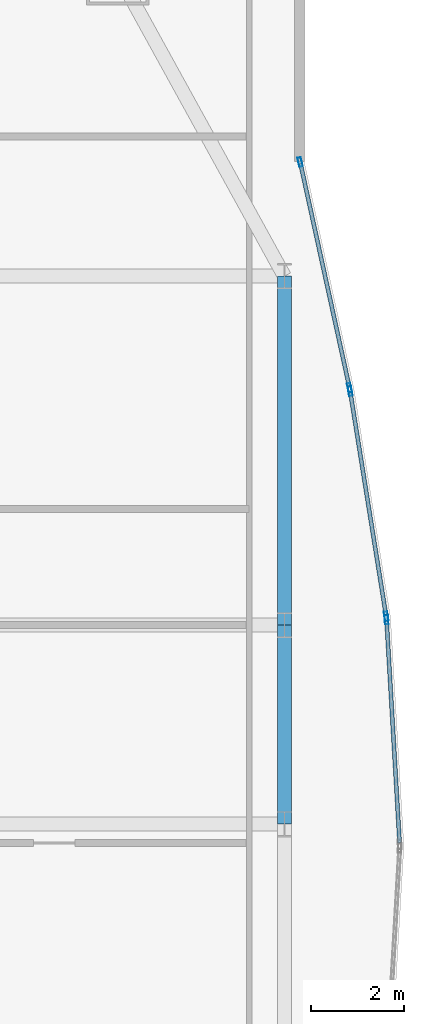
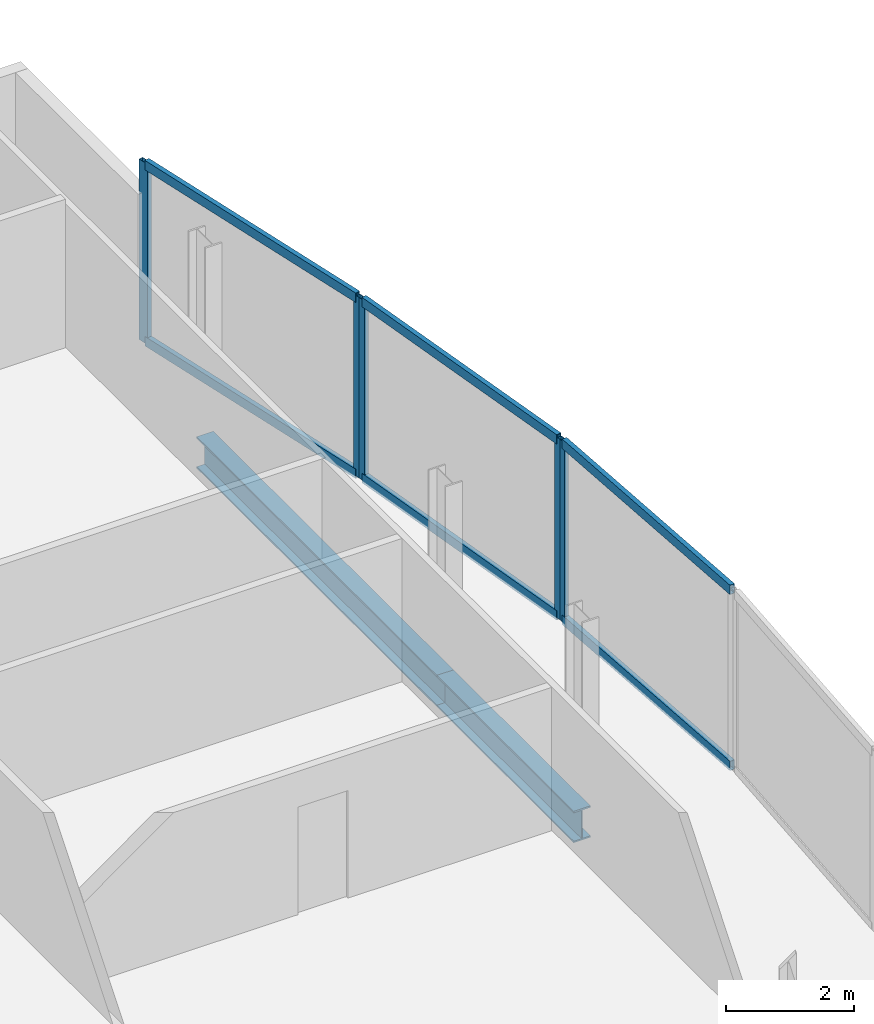
# One storey, part 22 of 29: 11 members, 2 beams, 3 elements without a shape of their own.
"""IFC4 building model written with IfcOpenShell, lengths in metres."""

from ifc_helpers import new_model, si_unit, direction, frame, origin, origin_2d, place, context, subcontext, project, spatial, hollow_rectangle, i_section, extrude, material, material_profile, profile_set, type_object, element, aggregate, save


model = new_model("IFC4")

# Units and contexts
model_context = context("Model", 3, precision=1e-05, world=origin(), true_north=direction((0.0, 1.0)))
body_context = subcontext(model_context, "Body", "Model", "MODEL_VIEW")
ifc_project = project(units=[si_unit("LENGTHUNIT", "METRE"), si_unit("AREAUNIT", "SQUARE_METRE"), si_unit("VOLUMEUNIT", "CUBIC_METRE"), si_unit("PLANEANGLEUNIT", "RADIAN"), si_unit("MASSUNIT", "GRAM", prefix="KILO")], contexts=[model_context])

# Site, building, storey
site_placement = place(None, origin())
site = spatial("IfcSite", under=ifc_project, at=site_placement, CompositionType="ELEMENT")
building_placement = place(site_placement, origin())
building = spatial("IfcBuilding", under=site, at=building_placement, Name="Khoronbel Lancet Exchange", CompositionType="ELEMENT")
storey_placement = place(building_placement, frame((0.0, 0.0, 161.39990234375)))
storey = spatial("IfcBuildingStorey", under=building, at=storey_placement, Name="L40", CompositionType="ELEMENT", Elevation=161.39990234375)

# Beams
ifc_material_1 = material(Name="Steel S355", Category="steel")
ifc_material_profile_1 = material_profile(ifc_material_1, i_section(OverallWidth=0.300048828125, OverallDepth=0.60009765625, WebThickness=0.015380859375, FlangeThickness=0.030029296875, at=origin_2d()), Name="HEB 600")
ifc_profile_set_1 = profile_set([ifc_material_profile_1], Name="Steel S355")
beam_type = type_object("IfcBeamType", Name="BM-BSP2", PredefinedType="SPANDREL", material=ifc_profile_set_1)
beam_1_placement = place(storey_placement, frame((67.6298828125, 31.425048828125, -0.4599609375), z_axis=(0.0, 1.0, 0.0), x_axis=(-1.0, 0.0, 0.0)))
element("IfcBeam", 1, at=beam_1_placement, inside=storey, type_object=beam_type, Name="Level L40 perimeter spandrel beam SP13", PredefinedType="SPANDREL", context=body_context, shape_type="SweptSolid", body=[
    extrude(i_section(OverallWidth=0.300048828125, OverallDepth=0.60009765625, WebThickness=0.015380859375, FlangeThickness=0.030029296875, at=origin_2d()), origin(), (0.0, 0.0, 1.0), 4.27490234375),
])
beam_2_placement = place(storey_placement, frame((67.6298828125, 35.699951171875, -0.4599609375), z_axis=(0.0, 1.0, 0.0), x_axis=(-1.0, 0.0, 0.0)))
element("IfcBeam", 2, at=beam_2_placement, inside=storey, type_object=beam_type, Name="Level L40 perimeter spandrel beam SP14", PredefinedType="SPANDREL", context=body_context, shape_type="SweptSolid", body=[
    extrude(i_section(OverallWidth=0.300048828125, OverallDepth=0.60009765625, WebThickness=0.015380859375, FlangeThickness=0.030029296875, at=origin_2d()), origin(), (0.0, 0.0, 1.0), 7.5),
])

# Curtain wall, members
ifc_material_2 = material(Name="Low-E Solar Control Insulating Glass", Category="glass")
curtain_wall_type = type_object("IfcCurtainWallType", Name="CW-4", PredefinedType="NOTDEFINED", material=ifc_material_2)
curtain_wall_1_placement = place(storey_placement, origin())
curtain_wall_1 = element("IfcCurtainWall", 3, at=curtain_wall_1_placement, inside=storey, type_object=curtain_wall_type, Name="Unitised curtain wall CW-L40-E17", PredefinedType="NOTDEFINED")
ifc_material_3 = material(Name="Bronze-Anodised Aluminium 6063-T6", Category="aluminium")
ifc_material_profile_2 = material_profile(ifc_material_3, hollow_rectangle(XDim=0.074951171875, YDim=0.199951171875, WallThickness=0.0048828125, at=origin_2d()), Name="ALU MULLION 75x200")
ifc_profile_set_2 = profile_set([ifc_material_profile_2], Name="Bronze-Anodised Aluminium 6063-T6")
member_type_1 = type_object("IfcMemberType", Name="MEM-CWM2", PredefinedType="MULLION", material=ifc_profile_set_2)
member_1_placement = place(storey_placement, frame((67.968017578125, 45.653564453125, 0.0), z_axis=(0.0, 0.0, 1.0), x_axis=(0.976923181341, 0.213590958982, 0.0)))
member_1 = element("IfcMember", 4, at=member_1_placement, type_object=member_type_1, Name="CW4 mullion 1", PredefinedType="MULLION", context=body_context, shape_type="SweptSolid", body=[
    extrude(hollow_rectangle(XDim=0.074951171875, YDim=0.199951171875, WallThickness=0.0048828125, at=origin_2d()), origin(), (0.0, 0.0, 1.0), 3.440185546875),
])
member_2_placement = place(storey_placement, frame((69.028564453125, 40.80322265625, 0.0), z_axis=(0.0, 0.0, 1.0), x_axis=(0.976923181341, 0.213590958982, 0.0)))
member_2 = element("IfcMember", 5, at=member_2_placement, type_object=member_type_1, Name="CW4 mullion 2", PredefinedType="MULLION", context=body_context, shape_type="SweptSolid", body=[
    extrude(hollow_rectangle(XDim=0.074951171875, YDim=0.199951171875, WallThickness=0.0048828125, at=origin_2d()), origin(), (0.0, 0.0, 1.0), 3.440185546875),
])

curtain_wall_2_placement = place(storey_placement, origin())
curtain_wall_2 = element("IfcCurtainWall", 6, at=curtain_wall_2_placement, inside=storey, type_object=curtain_wall_type, Name="Unitised curtain wall CW-L40-E18", PredefinedType="NOTDEFINED")
member_3_placement = place(storey_placement, frame((69.04248046875, 40.7294921875, 0.0), z_axis=(0.0, 0.0, 1.0), x_axis=(0.987429710822, 0.158058742835, 0.0)))
member_3 = element("IfcMember", 7, at=member_3_placement, type_object=member_type_1, Name="CW4 mullion 1", PredefinedType="MULLION", context=body_context, shape_type="SweptSolid", body=[
    extrude(hollow_rectangle(XDim=0.074951171875, YDim=0.199951171875, WallThickness=0.0048828125, at=origin_2d()), origin(), (0.0, 0.0, 1.0), 3.440185546875),
])
member_4_placement = place(storey_placement, frame((69.81640625, 35.89404296875, 0.0), z_axis=(0.0, 0.0, 1.0), x_axis=(0.987429710822, 0.158058742835, 0.0)))
member_4 = element("IfcMember", 8, at=member_4_placement, type_object=member_type_1, Name="CW4 mullion 2", PredefinedType="MULLION", context=body_context, shape_type="SweptSolid", body=[
    extrude(hollow_rectangle(XDim=0.074951171875, YDim=0.199951171875, WallThickness=0.0048828125, at=origin_2d()), origin(), (0.0, 0.0, 1.0), 3.440185546875),
])

# Curtain wall, member
curtain_wall_3_placement = place(storey_placement, origin())
curtain_wall_3 = element("IfcCurtainWall", 9, at=curtain_wall_3_placement, inside=storey, type_object=curtain_wall_type, Name="Unitised curtain wall CW-L40-E19", PredefinedType="NOTDEFINED")
member_5_placement = place(storey_placement, frame((69.82470703125, 35.819580078125, 0.0), z_axis=(0.0, 0.0, 1.0), x_axis=(0.998289143908, 0.058470378441, 0.0)))
member_5 = element("IfcMember", 10, at=member_5_placement, type_object=member_type_1, Name="CW4 mullion 1", PredefinedType="MULLION", context=body_context, shape_type="SweptSolid", body=[
    extrude(hollow_rectangle(XDim=0.074951171875, YDim=0.199951171875, WallThickness=0.0048828125, at=origin_2d()), origin(), (0.0, 0.0, 1.0), 3.440185546875),
])

# Member
ifc_material_profile_3 = material_profile(ifc_material_3, hollow_rectangle(XDim=0.0849609375, YDim=0.179931640625, WallThickness=0.0048828125, at=origin_2d()), Name="ALU TRANSOM 85x180")
ifc_profile_set_3 = profile_set([ifc_material_profile_3], Name="Bronze-Anodised Aluminium 6063-T6")
member_type_2 = type_object("IfcMemberType", Name="MEM-CWT1", PredefinedType="USERDEFINED", material=ifc_profile_set_3)
member_6_placement = place(storey_placement, frame((67.97607421875, 45.616943359375, 0.04248046875), z_axis=(0.213588182485, -0.97692378838, 0.0), x_axis=(0.97692378838, 0.213588182485, 0.0)))
member_6 = element("IfcMember", 11, at=member_6_placement, type_object=member_type_2, Name="CW4 transom 1.1", ObjectType="TRANSOM", PredefinedType="USERDEFINED", context=body_context, shape_type="SweptSolid", body=[
    extrude(hollow_rectangle(XDim=0.0849609375, YDim=0.179931640625, WallThickness=0.0048828125, at=origin_2d()), origin(), (0.0, 0.0, 1.0), 4.889892578125),
])

member_7_placement = place(storey_placement, frame((67.97607421875, 45.616943359375, 3.397705078125), z_axis=(0.213588182485, -0.97692378838, 0.0), x_axis=(0.97692378838, 0.213588182485, 0.0)))
member_7 = element("IfcMember", 12, at=member_7_placement, type_object=member_type_2, Name="CW4 transom 1.2", ObjectType="TRANSOM", PredefinedType="USERDEFINED", context=body_context, shape_type="SweptSolid", body=[
    extrude(hollow_rectangle(XDim=0.0849609375, YDim=0.179931640625, WallThickness=0.0048828125, at=origin_2d()), origin(), (0.0, 0.0, 1.0), 4.889892578125),
])

aggregate(curtain_wall_1, [member_1, member_2, member_6, member_7])

member_8_placement = place(storey_placement, frame((69.04833984375, 40.692626953125, 0.04248046875), z_axis=(0.158057634889, -0.987429888171, 0.0), x_axis=(0.987429888171, 0.158057634889, 0.0)))
member_8 = element("IfcMember", 13, at=member_8_placement, type_object=member_type_2, Name="CW4 transom 1.1", ObjectType="TRANSOM", PredefinedType="USERDEFINED", context=body_context, shape_type="SweptSolid", body=[
    extrude(hollow_rectangle(XDim=0.0849609375, YDim=0.179931640625, WallThickness=0.0048828125, at=origin_2d()), origin(), (0.0, 0.0, 1.0), 4.822265625),
])

member_9_placement = place(storey_placement, frame((69.04833984375, 40.692626953125, 3.397705078125), z_axis=(0.158057634889, -0.987429888171, 0.0), x_axis=(0.987429888171, 0.158057634889, 0.0)))
member_9 = element("IfcMember", 14, at=member_9_placement, type_object=member_type_2, Name="CW4 transom 1.2", ObjectType="TRANSOM", PredefinedType="USERDEFINED", context=body_context, shape_type="SweptSolid", body=[
    extrude(hollow_rectangle(XDim=0.0849609375, YDim=0.179931640625, WallThickness=0.0048828125, at=origin_2d()), origin(), (0.0, 0.0, 1.0), 4.822265625),
])

aggregate(curtain_wall_2, [member_3, member_4, member_8, member_9])

member_10_placement = place(storey_placement, frame((69.826904296875, 35.781982421875, 0.04248046875), z_axis=(0.05845772434, -0.998289884986, 0.0), x_axis=(0.998289884986, 0.05845772434, 0.0)))
member_10 = element("IfcMember", 15, at=member_10_placement, type_object=member_type_2, Name="CW4 transom 1.1", ObjectType="TRANSOM", PredefinedType="USERDEFINED", context=body_context, shape_type="SweptSolid", body=[
    extrude(hollow_rectangle(XDim=0.0849609375, YDim=0.179931640625, WallThickness=0.0048828125, at=origin_2d()), origin(), (0.0, 0.0, 1.0), 4.76513671875),
])

member_11_placement = place(storey_placement, frame((69.826904296875, 35.781982421875, 3.397705078125), z_axis=(0.05845772434, -0.998289884986, 0.0), x_axis=(0.998289884986, 0.05845772434, 0.0)))
member_11 = element("IfcMember", 16, at=member_11_placement, type_object=member_type_2, Name="CW4 transom 1.2", ObjectType="TRANSOM", PredefinedType="USERDEFINED", context=body_context, shape_type="SweptSolid", body=[
    extrude(hollow_rectangle(XDim=0.0849609375, YDim=0.179931640625, WallThickness=0.0048828125, at=origin_2d()), origin(), (0.0, 0.0, 1.0), 4.76513671875),
])

aggregate(curtain_wall_3, [member_5, member_10, member_11])

save(model, "model.ifc")
